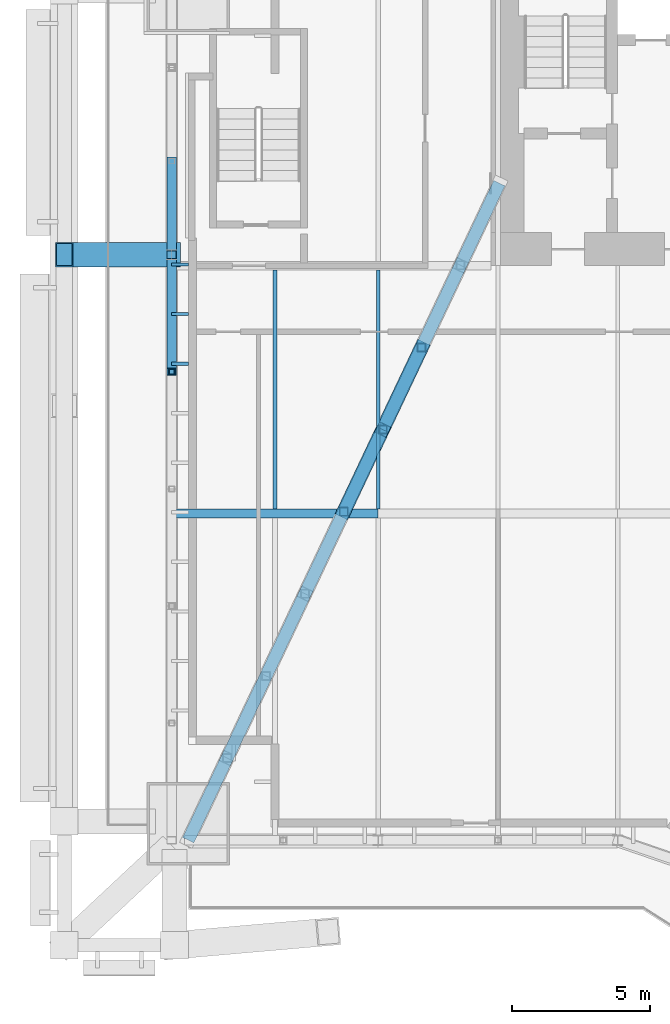
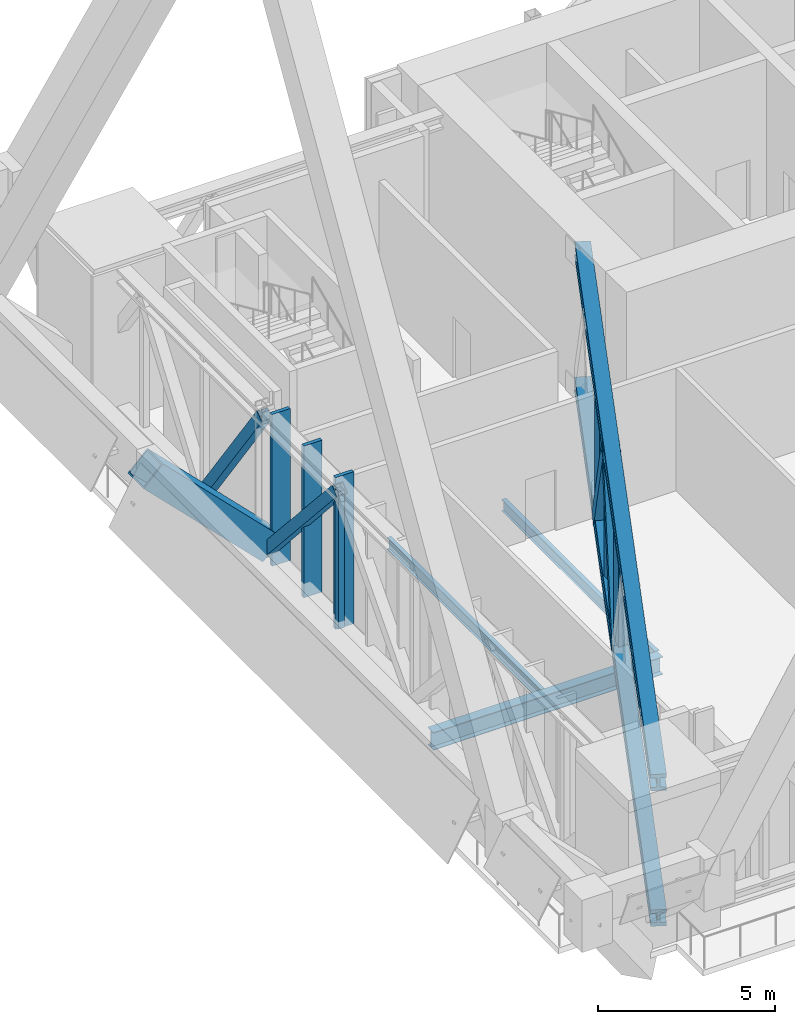
# One storey, part 7 of 32: 14 members, 3 beams, 1 element without a shape of its own.
"""IFC4 building model written with IfcOpenShell, lengths in metres."""

from ifc_helpers import new_model, si_unit, direction, frame, origin, origin_2d, place, context, subcontext, project, spatial, rectangle, hollow_rectangle, i_section, extrude, material, material_profile, profile_set, type_object, element, aggregate, save


model = new_model("IFC4")

# Units and contexts
model_context = context("Model", 3, precision=1e-05, world=origin(), true_north=direction((0.0, 1.0)))
body_context = subcontext(model_context, "Body", "Model", "MODEL_VIEW")
ifc_project = project(units=[si_unit("LENGTHUNIT", "METRE"), si_unit("AREAUNIT", "SQUARE_METRE"), si_unit("VOLUMEUNIT", "CUBIC_METRE"), si_unit("PLANEANGLEUNIT", "RADIAN"), si_unit("MASSUNIT", "GRAM", prefix="KILO")], contexts=[model_context])

# Site, building, storey
site_placement = place(None, origin())
site = spatial("IfcSite", under=ifc_project, at=site_placement, CompositionType="ELEMENT")
building_placement = place(site_placement, origin())
building = spatial("IfcBuilding", under=site, at=building_placement, Name="Bicima Exchange Tower", CompositionType="ELEMENT")
storey_placement = place(building_placement, frame((0.0, 0.0, 135.0)))
storey = spatial("IfcBuildingStorey", under=building, at=storey_placement, Name="L29", CompositionType="ELEMENT", Elevation=135.0)

# Curtain wall, members
ifc_material_1 = material(Name="Anodised bronze aluminium", Category="aluminium")
curtain_wall_type = type_object("IfcCurtainWallType", Name="Band blade screen", PredefinedType="NOTDEFINED", material=ifc_material_1)
curtain_wall_placement = place(storey_placement, origin())
curtain_wall = element("IfcCurtainWall", 1, at=curtain_wall_placement, inside=storey, type_object=curtain_wall_type, Name="Band blade screen L29", PredefinedType="NOTDEFINED")
ifc_material_profile_1 = material_profile(ifc_material_1, rectangle(XDim=0.60009765625, YDim=0.1201171875, at=origin_2d()))
ifc_profile_set_1 = profile_set([ifc_material_profile_1], Name="Anodised bronze aluminium")
member_type_1 = type_object("IfcMemberType", Name="Band blade fin 600 x 120", PredefinedType="USERDEFINED", material=ifc_profile_set_1)
member_1_placement = place(storey_placement, frame((-33.300048828125, -12.9560546875, 0.0), z_axis=(0.0, 0.0, 1.0), x_axis=(1.0, 0.0, 0.0)))
member_1 = element("IfcMember", 2, at=member_1_placement, type_object=member_type_1, Name="Band blade fin 15", ObjectType="FIN", PredefinedType="USERDEFINED", context=body_context, shape_type="SweptSolid", body=[
    extrude(rectangle(XDim=0.60009765625, YDim=0.1201171875, at=origin_2d()), origin(), (0.0, 0.0, 1.0), 5.25),
])
member_2_placement = place(storey_placement, frame((-33.300048828125, -14.756103515625, 0.0), z_axis=(0.0, 0.0, 1.0), x_axis=(1.0, 0.0, 0.0)))
member_2 = element("IfcMember", 3, at=member_2_placement, type_object=member_type_1, Name="Band blade fin 16", ObjectType="FIN", PredefinedType="USERDEFINED", context=body_context, shape_type="SweptSolid", body=[
    extrude(rectangle(XDim=0.60009765625, YDim=0.1201171875, at=origin_2d()), origin(), (0.0, 0.0, 1.0), 5.25),
])
member_3_placement = place(storey_placement, frame((-33.300048828125, -16.55615234375, 0.0), z_axis=(0.0, 0.0, 1.0), x_axis=(1.0, 0.0, 0.0)))
member_3 = element("IfcMember", 4, at=member_3_placement, type_object=member_type_1, Name="Band blade fin 17", ObjectType="FIN", PredefinedType="USERDEFINED", context=body_context, shape_type="SweptSolid", body=[
    extrude(rectangle(XDim=0.60009765625, YDim=0.1201171875, at=origin_2d()), origin(), (0.0, 0.0, 1.0), 5.25),
])
aggregate(curtain_wall, [member_1, member_2, member_3])

# Members
ifc_material_2 = material(Name="Steel ASTM A572 Gr 50", Category="steel")
ifc_material_profile_2 = material_profile(ifc_material_2, hollow_rectangle(XDim=0.355712890625, YDim=0.355712890625, WallThickness=0.0146484375, at=origin_2d()))
ifc_profile_set_2 = profile_set([ifc_material_profile_2], Name="Steel ASTM A572 Gr 50")
member_type_2 = type_object("IfcMemberType", Name="Belt truss diagonal HSS14x14x5/8", PredefinedType="STRUT", material=ifc_profile_set_2)
member_4_placement = place(storey_placement, frame((-33.60009765625, -9.199951171875, 0.248779296875), z_axis=(0.0, -0.581866410253, 0.813284378688), x_axis=(1.0, 0.0, 0.0)))
element("IfcMember", 5, at=member_4_placement, inside=storey, type_object=member_type_2, Name="Truss diagonal", PredefinedType="STRUT", context=body_context, shape_type="SweptSolid", body=[
    extrude(hollow_rectangle(XDim=0.355712890625, YDim=0.355712890625, WallThickness=0.0146484375, at=origin_2d()), origin(), (0.0, 0.0, 1.0), 5.843505859375),
])
member_5_placement = place(storey_placement, frame((-33.60009765625, -12.60009765625, 0.248779296875), z_axis=(0.0, -0.666881015123, 0.74516421792), x_axis=(1.0, 0.0, 0.0)))
element("IfcMember", 6, at=member_5_placement, inside=storey, type_object=member_type_2, Name="Truss diagonal", PredefinedType="STRUT", context=body_context, shape_type="SweptSolid", body=[
    extrude(hollow_rectangle(XDim=0.355712890625, YDim=0.355712890625, WallThickness=0.0146484375, at=origin_2d()), origin(), (0.0, 0.0, 1.0), 6.377685546875),
])
ifc_material_profile_3 = material_profile(ifc_material_2, hollow_rectangle(XDim=0.203125, YDim=0.203125, WallThickness=0.01171875, at=origin_2d()))
ifc_profile_set_3 = profile_set([ifc_material_profile_3], Name="Steel ASTM A572 Gr 50")
member_type_3 = type_object("IfcMemberType", Name="Belt truss post HSS8x8x1/2", PredefinedType="POST", material=ifc_profile_set_3)
member_6_placement = place(storey_placement, frame((-33.60009765625, -16.853271484375, 0.248779296875), z_axis=(0.0, 0.0, 1.0), x_axis=(1.0, 0.0, 0.0)))
element("IfcMember", 7, at=member_6_placement, inside=storey, type_object=member_type_3, Name="Truss post", PredefinedType="POST", context=body_context, shape_type="SweptSolid", body=[
    extrude(hollow_rectangle(XDim=0.203125, YDim=0.203125, WallThickness=0.01171875, at=origin_2d()), origin(), (0.0, 0.0, 1.0), 4.75244140625),
])
ifc_material_profile_4 = material_profile(ifc_material_2, hollow_rectangle(XDim=0.89990234375, YDim=0.89990234375, WallThickness=0.050048828125, at=origin_2d()))
ifc_profile_set_4 = profile_set([ifc_material_profile_4], Name="Steel ASTM A572 Gr 50")
member_type_4 = type_object("IfcMemberType", Name="Exo outrigger stub BOX 900x900x50", PredefinedType="STRUT", material=ifc_profile_set_4)
member_7_placement = place(storey_placement, frame((-33.60009765625, -12.60009765625, 0.60009765625), z_axis=(-0.707106781187, 0.0, 0.707106781187), x_axis=(0.0, -1.0, 0.0)))
element("IfcMember", 8, at=member_7_placement, inside=storey, type_object=member_type_4, Name="Exo outrigger stub", PredefinedType="STRUT", context=body_context, shape_type="SweptSolid", body=[
    extrude(hollow_rectangle(XDim=0.89990234375, YDim=0.89990234375, WallThickness=0.050048828125, at=origin_2d()), origin(), (0.0, 0.0, 1.0), 5.515380859375),
])

# Beams
ifc_material_3 = material(Name="Steel ASTM A992 Gr 50", Category="steel")
ifc_material_profile_5 = material_profile(ifc_material_3, i_section(OverallWidth=0.140380859375, OverallDepth=0.40380859375, WebThickness=0.007080078125, FlangeThickness=0.01123046875, at=origin_2d()))
ifc_profile_set_5 = profile_set([ifc_material_profile_5], Name="Steel ASTM A992 Gr 50")
beam_type_1 = type_object("IfcBeamType", Name="Floor beam W16x31", PredefinedType="JOIST", material=ifc_profile_set_5)
for number, where, z_axis, x_axis, name in (
    (9, (-29.85009765625, -13.15234375, -0.40185546875), (0.0, -1.0, 0.0), (1.0, 0.0, 0.0), "Floor beam"),
    (10, (-26.10009765625, -13.15234375, -0.40185546875), (0.0, -1.0, 0.0), (1.0, 0.0, 0.0), "Floor beam"),
):
    element("IfcBeam", number, at=place(storey_placement, frame(where, z_axis=z_axis, x_axis=x_axis)), inside=storey, type_object=beam_type_1, Name=name, PredefinedType="JOIST", context=body_context, shape_type="SweptSolid", body=[
        extrude(i_section(OverallWidth=0.140380859375, OverallDepth=0.40380859375, WebThickness=0.007080078125, FlangeThickness=0.01123046875, at=origin_2d()), origin(), (0.0, 0.0, 1.0), 8.68505859375),
    ])

# Members
ifc_material_profile_6 = material_profile(ifc_material_3, i_section(OverallWidth=0.45458984375, OverallDepth=0.56884765625, WebThickness=0.077880859375, FlangeThickness=0.124755859375, at=origin_2d()))
ifc_profile_set_6 = profile_set([ifc_material_profile_6], Name="Steel ASTM A992 Gr 50")
member_type_5 = type_object("IfcMemberType", Name="Outrigger truss chord W14x730", PredefinedType="CHORD", material=ifc_profile_set_6)
for number, where, z_axis, x_axis, name in (
    (11, (-21.699951171875, -10.0, 4.965576171875), (-0.427935312391, -0.903809365081, 0.0), (0.903809365081, -0.427935312391, 0.0), "Top chord"),
    (12, (-21.699951171875, -10.0, 0.284423828125), (-0.427935312391, -0.903809365081, 0.0), (0.903809365081, -0.427935312391, 0.0), "Bottom chord"),
):
    element("IfcMember", number, at=place(storey_placement, frame(where, z_axis=z_axis, x_axis=x_axis)), inside=storey, type_object=member_type_5, Name=name, PredefinedType="CHORD", context=body_context, shape_type="SweptSolid", body=[
        extrude(i_section(OverallWidth=0.45458984375, OverallDepth=0.56884765625, WebThickness=0.077880859375, FlangeThickness=0.124755859375, at=origin_2d()), origin(), (0.0, 0.0, 1.0), 26.406005859375),
    ])
ifc_material_profile_7 = material_profile(ifc_material_2, hollow_rectangle(XDim=0.508056640625, YDim=0.508056640625, WallThickness=0.017822265625, at=origin_2d()))
ifc_profile_set_7 = profile_set([ifc_material_profile_7], Name="Steel ASTM A572 Gr 50")
member_type_6 = type_object("IfcMemberType", Name="Outrigger truss diagonal HSS20x20x3/4", PredefinedType="STRUT", material=ifc_profile_set_7)
member_8_placement = place(storey_placement, frame((-24.52490234375, -15.966552734375, 0.284423828125), z_axis=(-0.246620818769, -0.520819181566, 0.817267123934), x_axis=(0.903793556937, -0.427968697965, 0.0)))
element("IfcMember", 13, at=member_8_placement, inside=storey, type_object=member_type_6, Name="Truss diagonal", PredefinedType="STRUT", context=body_context, shape_type="SweptSolid", body=[
    extrude(hollow_rectangle(XDim=0.508056640625, YDim=0.508056640625, WallThickness=0.017822265625, at=origin_2d()), origin(), (0.0, 0.0, 1.0), 5.727783203125),
])
member_9_placement = place(storey_placement, frame((-25.9375, -18.94970703125, 4.965576171875), z_axis=(-0.246615343931, -0.520850242453, -0.817248981079), x_axis=(0.90380710303, -0.427940089864, 0.0)))
element("IfcMember", 14, at=member_9_placement, inside=storey, type_object=member_type_6, Name="Truss diagonal", PredefinedType="STRUT", context=body_context, shape_type="SweptSolid", body=[
    extrude(hollow_rectangle(XDim=0.508056640625, YDim=0.508056640625, WallThickness=0.017822265625, at=origin_2d()), origin(), (0.0, 0.0, 1.0), 5.72802734375),
])
ifc_material_profile_8 = material_profile(ifc_material_2, hollow_rectangle(XDim=0.3046875, YDim=0.3046875, WallThickness=0.01171875, at=origin_2d()))
ifc_profile_set_8 = profile_set([ifc_material_profile_8], Name="Steel ASTM A572 Gr 50")
member_type_7 = type_object("IfcMemberType", Name="Outrigger truss post HSS12x12x1/2", PredefinedType="POST", material=ifc_profile_set_8)
for number, where, z_axis, x_axis, name in (
    (15, (-24.52490234375, -15.966552734375, 0.284423828125), (0.0, 0.0, 1.0), (1.0, 0.0, 0.0), "Truss post"),
    (16, (-25.9375, -18.94970703125, 0.284423828125), (0.0, 0.0, 1.0), (1.0, 0.0, 0.0), "Truss post"),
    (17, (-27.35009765625, -21.93310546875, 0.284423828125), (0.0, 0.0, 1.0), (1.0, 0.0, 0.0), "Truss post"),
):
    element("IfcMember", number, at=place(storey_placement, frame(where, z_axis=z_axis, x_axis=x_axis)), inside=storey, type_object=member_type_7, Name=name, PredefinedType="POST", context=body_context, shape_type="SweptSolid", body=[
        extrude(hollow_rectangle(XDim=0.3046875, YDim=0.3046875, WallThickness=0.01171875, at=origin_2d()), origin(), (0.0, 0.0, 1.0), 4.68115234375),
    ])

# Beam
ifc_material_profile_9 = material_profile(ifc_material_3, i_section(OverallWidth=0.3251953125, OverallDepth=0.612060546875, WebThickness=0.0126953125, FlangeThickness=0.01904296875, at=origin_2d()))
ifc_profile_set_9 = profile_set([ifc_material_profile_9], Name="Steel ASTM A992 Gr 50")
beam_type_2 = type_object("IfcBeamType", Name="Row girder W24x104", PredefinedType="BEAM", material=ifc_profile_set_9)
beam_placement = place(storey_placement, frame((-33.60009765625, -22.0, -0.506103515625), z_axis=(1.0, 0.0, 0.0), x_axis=(0.0, 1.0, 0.0)))
element("IfcBeam", 18, at=beam_placement, inside=storey, type_object=beam_type_2, Name="Row girder", PredefinedType="BEAM", context=body_context, shape_type="SweptSolid", body=[
    extrude(i_section(OverallWidth=0.3251953125, OverallDepth=0.612060546875, WebThickness=0.0126953125, FlangeThickness=0.01904296875, at=origin_2d()), origin(), (0.0, 0.0, 1.0), 7.5),
])

save(model, "model.ifc")
